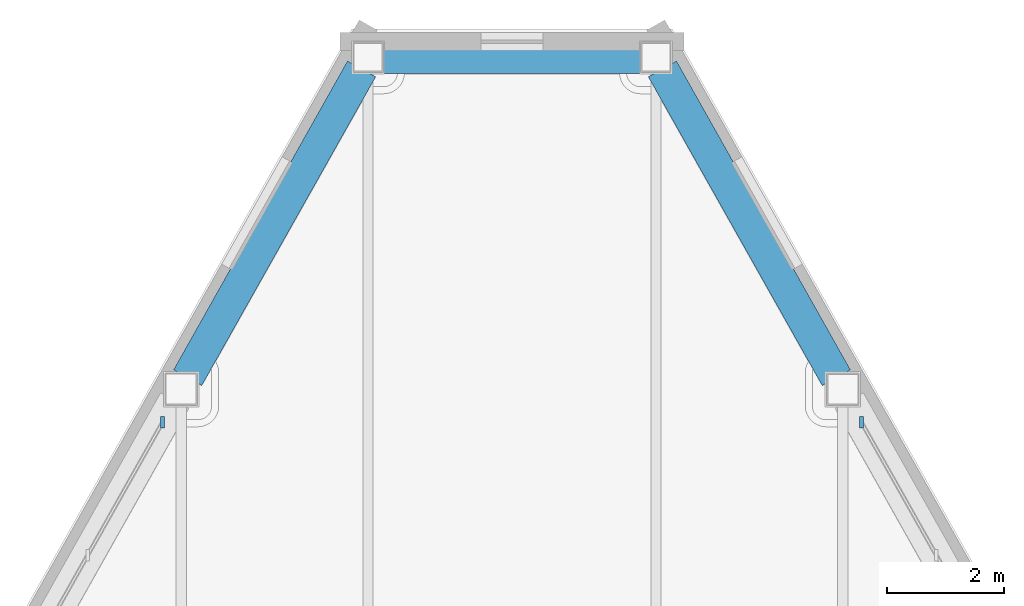
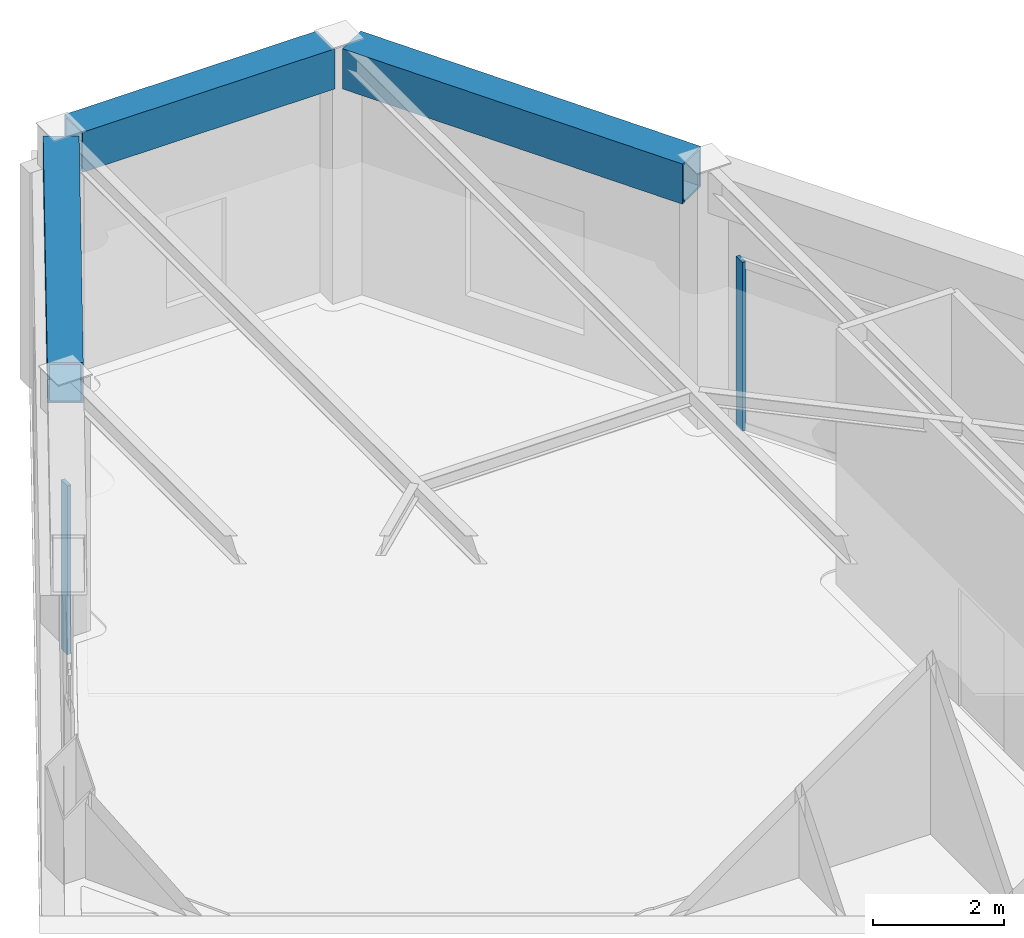
# One storey, part 5 of 15: 3 beams, 2 members, 2 elements without a shape of their own.
"""IFC4 building model written with IfcOpenShell, lengths in metres."""

import ifcopenshell
import ifcopenshell.guid

model = None  # the IFC model being written
_history = None  # IfcOwnerHistory: only IFC2X3 demands one
_inside = {}  # id of a spatial element -> (the spatial element, [elements in it])
_under = {}  # id of a project, library or spatial element -> (it, [spatial elements below it])
_declared = {}  # id of a project -> (the project, [libraries it declares])
_typed = {}  # id of a type object -> (the type object, [elements of that type])
_made_of = {}  # id of a material, layer set ... -> (it, [elements and type objects made of it])


def new_model(schema):
    """Start an empty IFC model of exactly this schema.

    Asked for "IFC4X3", IfcOpenShell would pick the latest addendum, in which some entities
    have other attributes; the version numbers below select the first issue.
    IFC2X3 requires an IfcOwnerHistory on every rooted entity: one is made here for all.
    """
    global model, _history
    if schema == "IFC4X3":
        model = ifcopenshell.file(schema_version=(4, 3, 0, 0))
    else:
        model = ifcopenshell.file(schema=schema)
    _inside.clear()
    _under.clear()
    _declared.clear()
    _typed.clear()
    _made_of.clear()
    _history = None
    if model.schema == "IFC2X3":
        org = make("IfcOrganization", Name="unknown")
        user = make(
            "IfcPersonAndOrganization",
            ThePerson=make("IfcPerson", FamilyName="unknown"),
            TheOrganization=org,
        )
        app = make(
            "IfcApplication",
            ApplicationDeveloper=org,
            Version="unknown",
            ApplicationFullName="unknown",
            ApplicationIdentifier="unknown",
        )
        _history = make(
            "IfcOwnerHistory",
            OwningUser=user,
            OwningApplication=app,
            ChangeAction="ADDED",
            CreationDate=0,
        )
    return model


def make(cls, **values):
    """One entity of the class cls with the attributes given. An attribute that is None is left unset."""
    return model.create_entity(
        cls, **{name: value for name, value in values.items() if value is not None}
    )


def rooted(cls, **values):
    """An entity with a GlobalId (a new one), such as an element, a storey or a relation."""
    return make(cls, GlobalId=ifcopenshell.guid.new(), OwnerHistory=_history, **values)


def si_unit(unit_type, name, prefix=None):
    """IfcSIUnit, for example si_unit("LENGTHUNIT", "METRE", prefix="MILLI")."""
    return make("IfcSIUnit", UnitType=unit_type, Prefix=prefix, Name=name)


def assignment(units):
    """IfcUnitAssignment: the units of a project."""
    return None if units is None else make("IfcUnitAssignment", Units=units)


def point(xyz):
    """IfcCartesianPoint."""
    return None if xyz is None else make("IfcCartesianPoint", Coordinates=xyz)


def direction(xyz):
    """IfcDirection."""
    return None if xyz is None else make("IfcDirection", DirectionRatios=xyz)


def frame(location, z_axis=None, x_axis=None):
    """IfcAxis2Placement3D, a coordinate frame: its origin and axes. An axis left out is left unset."""
    return make(
        "IfcAxis2Placement3D",
        Location=point(location),
        Axis=direction(z_axis),
        RefDirection=direction(x_axis),
    )


def frame_2d(location, x_axis=None):
    """IfcAxis2Placement2D, a coordinate frame in the plane: its origin and x axis."""
    return make(
        "IfcAxis2Placement2D", Location=point(location), RefDirection=direction(x_axis)
    )


def origin():
    """The frame at (0, 0, 0) with its axes left unset."""
    return frame((0.0, 0.0, 0.0))


def origin_2d():
    """The frame at (0, 0) in the plane with its x axis left unset."""
    return frame_2d((0.0, 0.0))


def place(relative_to, where):
    """IfcLocalPlacement: puts the frame where relative to a parent placement (None: the world)."""
    return make(
        "IfcLocalPlacement", PlacementRelTo=relative_to, RelativePlacement=where
    )


def context(
    kind, dimensions, precision=None, world=None, true_north=None, identifier=None
):
    """IfcGeometricRepresentationContext, for example the 3D "Model" context."""
    return make(
        "IfcGeometricRepresentationContext",
        ContextIdentifier=identifier,
        ContextType=kind,
        CoordinateSpaceDimension=dimensions,
        Precision=precision,
        WorldCoordinateSystem=world,
        TrueNorth=true_north,
    )


def subcontext(parent, identifier, kind, view, scale=None):
    """IfcGeometricRepresentationSubContext, for example "Body" below "Model"."""
    return make(
        "IfcGeometricRepresentationSubContext",
        ContextIdentifier=identifier,
        ContextType=kind,
        ParentContext=parent,
        TargetScale=scale,
        TargetView=view,
    )


def project(units=None, contexts=None):
    """IfcProject with its units and contexts."""
    return rooted(
        "IfcProject",
        Name="project",
        RepresentationContexts=contexts,
        UnitsInContext=assignment(units),
    )


def spatial(cls, under=None, at=None, **own):
    """A site, building, storey or space (cls), placed at a placement, below another one or the project."""
    s = rooted(cls, ObjectPlacement=at, **own)
    if under is not None:
        _under.setdefault(under.id(), (under, []))[1].append(s)
    return s


def profile(cls, at=None, kind="AREA", **sizes):
    """A parametric profile (cls). Its sizes go by their IFC names, for example OverallWidth=200.0."""
    return make(cls, ProfileType=kind, Position=at, **sizes)


def rectangle(**sizes):
    """IfcRectangleProfileDef."""
    return profile("IfcRectangleProfileDef", **sizes)


def hollow_rectangle(**sizes):
    """IfcRectangleHollowProfileDef."""
    return profile("IfcRectangleHollowProfileDef", **sizes)


def extrude(swept, where, along, depth):
    """IfcExtrudedAreaSolid: the profile swept, set in the frame where, extruded along a direction by depth."""
    return make(
        "IfcExtrudedAreaSolid",
        SweptArea=swept,
        Position=where,
        ExtrudedDirection=direction(along),
        Depth=depth,
    )


def shape(context_of_items, identifier, shape_type, items):
    """IfcShapeRepresentation: the items that make up one representation, for example the "Body"."""
    return make(
        "IfcShapeRepresentation",
        ContextOfItems=context_of_items,
        RepresentationIdentifier=identifier,
        RepresentationType=shape_type,
        Items=items,
    )


def material(Name=None, Category=None):
    """IfcMaterial."""
    return make("IfcMaterial", Name=Name, Category=Category)


def layer(
    of_material, thickness, ventilated=None, Name=None, Category=None, Priority=None
):
    """IfcMaterialLayer: one layer of a wall or slab, of a material (None: an air gap)."""
    return make(
        "IfcMaterialLayer",
        Material=of_material,
        LayerThickness=thickness,
        IsVentilated=ventilated,
        Name=Name,
        Category=Category,
        Priority=Priority,
    )


def layer_set(layers, Name=None):
    """IfcMaterialLayerSet."""
    return make("IfcMaterialLayerSet", MaterialLayers=layers, LayerSetName=Name)


def material_profile(
    of_material, cross_section, Name=None, Category=None, Priority=None
):
    """IfcMaterialProfile: a cross section and its material."""
    return make(
        "IfcMaterialProfile",
        Name=Name,
        Material=of_material,
        Profile=cross_section,
        Priority=Priority,
        Category=Category,
    )


def profile_set(profiles, Name=None, composite=None):
    """IfcMaterialProfileSet."""
    return make(
        "IfcMaterialProfileSet",
        Name=Name,
        MaterialProfiles=profiles,
        CompositeProfile=composite,
    )


def made_of(thing, what):
    """Note that an element or type object is made of a material, layer set ...; save() writes the relation."""
    if what is not None:
        _made_of.setdefault(what.id(), (what, []))[1].append(thing)
    return thing


def type_object(cls, material=None, **own):
    """A type object (cls), such as IfcWallType, which elements share."""
    return made_of(rooted(cls, **own), material)


def element(
    cls,
    number,
    at=None,
    inside=None,
    cuts=None,
    type_object=None,
    material=None,
    context=None,
    identifier="Body",
    shape_type=None,
    held_by="IfcProductDefinitionShape",
    body=None,
    shapes=None,
    **own,
):
    """One element of the class cls, such as IfcWall. Its Tag is "e" and its number.

    at: its placement. inside: the storey or other place that contains it. cuts: it is an
    opening in that element (IfcRelVoidsElement). A single representation is given by context,
    identifier, shape_type and body (its items); several are given by shapes. held_by: the class
    of the entity that holds the representations. save() writes the other relations.
    """
    e = rooted(cls, Tag="e%d" % number, ObjectPlacement=at, **own)
    if body is not None:
        shapes = [shape(context, identifier, shape_type, body)]
    if shapes is not None:
        e.Representation = make(held_by, Representations=shapes)
    if inside is not None:
        _inside.setdefault(inside.id(), (inside, []))[1].append(e)
    if cuts is not None:
        rooted(
            "IfcRelVoidsElement", RelatingBuildingElement=cuts, RelatedOpeningElement=e
        )
    if type_object is not None:
        _typed.setdefault(type_object.id(), (type_object, []))[1].append(e)
    return made_of(e, material)


def aggregate(whole, parts):
    """IfcRelAggregates: a whole, such as a stair, and the parts it consists of."""
    return rooted("IfcRelAggregates", RelatingObject=whole, RelatedObjects=parts)


def save(model, path):
    """Write the relations noted so far, then the file.

    IfcRelAggregates (storeys below a building ...), IfcRelContainedInSpatialStructure (elements
    in a storey), IfcRelDefinesByType, IfcRelAssociatesMaterial and IfcRelDeclares: one each for
    every whole, place, type object, material and project.
    """
    for whole, parts in _under.values():
        aggregate(whole, parts)
    for where, things in _inside.values():
        rooted(
            "IfcRelContainedInSpatialStructure",
            RelatedElements=things,
            RelatingStructure=where,
        )
    for kind, things in _typed.values():
        rooted("IfcRelDefinesByType", RelatedObjects=things, RelatingType=kind)
    for what, things in _made_of.values():
        rooted("IfcRelAssociatesMaterial", RelatedObjects=things, RelatingMaterial=what)
    for by, libraries in _declared.values():
        rooted("IfcRelDeclares", RelatingContext=by, RelatedDefinitions=libraries)
    model.write(path)


model = new_model("IFC4")

# Units and contexts
model_context = context("Model", 3, precision=1e-05, world=origin(), true_north=direction((0.0, 1.0)))
body_context = subcontext(model_context, "Body", "Model", "MODEL_VIEW")
ifc_project = project(units=[si_unit("LENGTHUNIT", "METRE"), si_unit("AREAUNIT", "SQUARE_METRE"), si_unit("VOLUMEUNIT", "CUBIC_METRE"), si_unit("PLANEANGLEUNIT", "RADIAN"), si_unit("MASSUNIT", "GRAM", prefix="KILO")], contexts=[model_context])

# Site, building, storey
site_placement = place(None, origin())
site = spatial("IfcSite", under=ifc_project, at=site_placement, CompositionType="ELEMENT")
building_placement = place(site_placement, origin())
building = spatial("IfcBuilding", under=site, at=building_placement, Name="Kavelnor Concourse Tower", CompositionType="ELEMENT")
storey_placement = place(building_placement, frame((0.0, 0.0, 304.949951171875)))
storey = spatial("IfcBuildingStorey", under=building, at=storey_placement, Name="L77", CompositionType="ELEMENT", Elevation=304.949951171875)

# Beams
ifc_material_1 = material(Name="Steel Grade 350", Category="steel")
ifc_material_profile_1 = material_profile(ifc_material_1, hollow_rectangle(XDim=0.550048828125, YDim=0.75, WallThickness=0.034912109375, at=origin_2d()), Name="RHS 750x550x35")
ifc_profile_set_1 = profile_set([ifc_material_profile_1], Name="Steel Grade 350")
beam_type = type_object("IfcBeamType", Name="BM-XFER-CHORD-750", PredefinedType="BEAM", material=ifc_profile_set_1)
beam_1_placement = place(storey_placement, frame((35.43701171875, 44.2412109375, 4.39501953125), z_axis=(-0.490744770345, -0.871303374479, 0.0), x_axis=(0.871303374479, -0.490744770345, 0.0)))
element("IfcBeam", 1, at=beam_1_placement, inside=storey, type_object=beam_type, Name="L77 Perimeter Tube Spandrel Beam F0-B0", PredefinedType="BEAM", context=body_context, shape_type="SweptSolid", body=[
    extrude(hollow_rectangle(XDim=0.550048828125, YDim=0.75, WallThickness=0.034912109375, at=origin_2d()), origin(), (0.0, 0.0, 1.0), 6.0400390625),
])
beam_2_placement = place(storey_placement, frame((40.2275390625, 44.437255859375, 4.39501953125), z_axis=(-1.0, 0.0, 0.0), x_axis=(0.0, -1.0, 0.0)))
element("IfcBeam", 2, at=beam_2_placement, inside=storey, type_object=beam_type, Name="L77 Chamfer Facet Spandrel Beam C0", PredefinedType="BEAM", context=body_context, shape_type="SweptSolid", body=[
    extrude(hollow_rectangle(XDim=0.550048828125, YDim=0.75, WallThickness=0.034912109375, at=origin_2d()), origin(), (0.0, 0.0, 1.0), 4.455078125),
])
beam_3_placement = place(storey_placement, frame((43.527099609375, 38.978271484375, 4.39501953125), z_axis=(-0.490727487572, 0.871313108441, 0.0), x_axis=(-0.871313108441, -0.490727487572, 0.0)))
element("IfcBeam", 3, at=beam_3_placement, inside=storey, type_object=beam_type, Name="L77 Perimeter Tube Spandrel Beam F2-B5", PredefinedType="BEAM", context=body_context, shape_type="SweptSolid", body=[
    extrude(hollow_rectangle(XDim=0.550048828125, YDim=0.75, WallThickness=0.034912109375, at=origin_2d()), origin(), (0.0, 0.0, 1.0), 6.040283203125),
])

# Curtain wall, member
ifc_material_2 = material(Name="Anodised aluminium 6063-T6", Category="aluminium")
ifc_layer = layer(ifc_material_2, 0.195068359375, Name="Anodised aluminium 6063-T6")
ifc_layer_set = layer_set([ifc_layer], Name="Anodised aluminium 6063-T6")
curtain_wall_type = type_object("IfcCurtainWallType", Name="CW-OBSERVATION-L77", PredefinedType="NOTDEFINED", material=ifc_layer_set)
curtain_wall_1_placement = place(storey_placement, origin())
curtain_wall_1 = element("IfcCurtainWall", 4, at=curtain_wall_1_placement, inside=storey, type_object=curtain_wall_type, Name="L77 Feature Curtain Wall F0-B1", PredefinedType="NOTDEFINED")
ifc_material_profile_2 = material_profile(ifc_material_2, rectangle(XDim=0.06494140625, YDim=0.195068359375, at=origin_2d()), Name="AL-MULL 65x195")
ifc_profile_set_2 = profile_set([ifc_material_profile_2], Name="Anodised aluminium 6063-T6")
member_type = type_object("IfcMemberType", Name="CW-OBSERVATION-L77-MULL", PredefinedType="MULLION", material=ifc_profile_set_2)
member_1_placement = place(storey_placement, frame((32.04345703125, 38.216064453125, 0.0), z_axis=(0.0, 0.0, 1.0), x_axis=(1.0, 0.0, 0.0)))
member_1 = element("IfcMember", 5, at=member_1_placement, type_object=member_type, Name="L77 Feature Curtain Wall F0-B1 Mullion 0", PredefinedType="MULLION", context=body_context, shape_type="SweptSolid", body=[
    extrude(rectangle(XDim=0.06494140625, YDim=0.195068359375, at=origin_2d()), origin(), (0.0, 0.0, 1.0), 3.150146484375),
])
aggregate(curtain_wall_1, [member_1])

curtain_wall_2_placement = place(storey_placement, origin())
curtain_wall_2 = element("IfcCurtainWall", 6, at=curtain_wall_2_placement, inside=storey, type_object=curtain_wall_type, Name="L77 Feature Curtain Wall F2-B4", PredefinedType="NOTDEFINED")
member_2_placement = place(storey_placement, frame((43.95654296875, 38.2158203125, 0.0), z_axis=(0.0, 0.0, 1.0), x_axis=(1.0, 0.0, 0.0)))
member_2 = element("IfcMember", 7, at=member_2_placement, type_object=member_type, Name="L77 Feature Curtain Wall F2-B4 Mullion 2", PredefinedType="MULLION", context=body_context, shape_type="SweptSolid", body=[
    extrude(rectangle(XDim=0.06494140625, YDim=0.195068359375, at=origin_2d()), origin(), (0.0, 0.0, 1.0), 3.150146484375),
])
aggregate(curtain_wall_2, [member_2])

save(model, "model.ifc")
